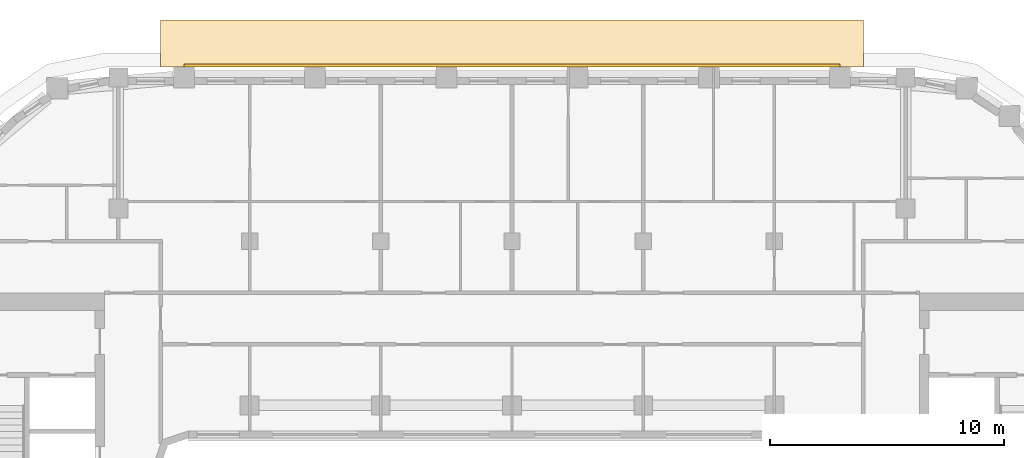
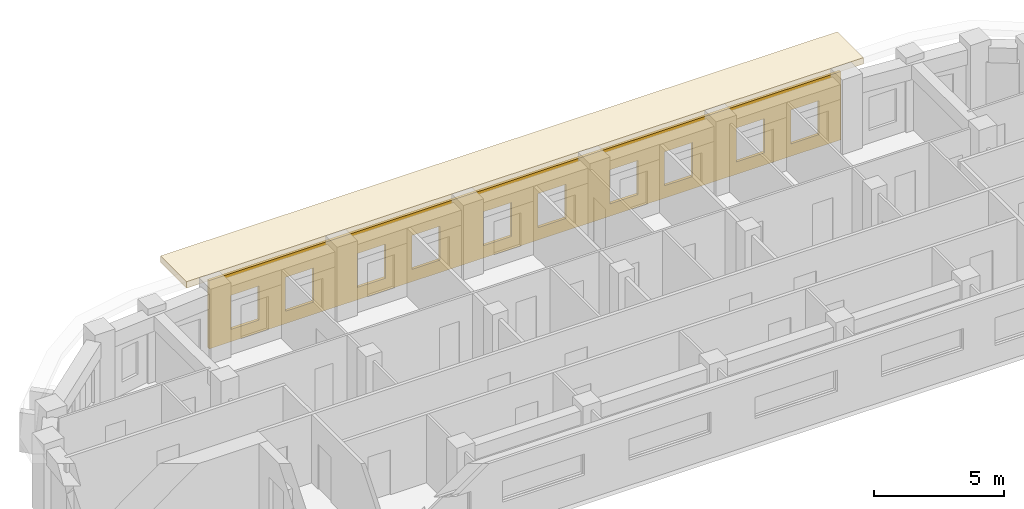
# One storey, part 20 of 21: 2 coverings.
"""IFC4 building model written with IfcOpenShell, lengths in metres."""

from ifc_helpers import new_model, si_unit, direction, frame, origin, place, context, subcontext, project, spatial, polyline, outline, extrude, material, layer, layer_set, type_object, element, save


model = new_model("IFC4")

# Units and contexts
model_context = context("Model", 3, precision=1e-05, world=origin(), true_north=direction((0.0, 1.0)))
body_context = subcontext(model_context, "Body", "Model", "MODEL_VIEW")
ifc_project = project(units=[si_unit("LENGTHUNIT", "METRE"), si_unit("AREAUNIT", "SQUARE_METRE"), si_unit("VOLUMEUNIT", "CUBIC_METRE"), si_unit("PLANEANGLEUNIT", "RADIAN"), si_unit("MASSUNIT", "GRAM", prefix="KILO")], contexts=[model_context])

# Site, building, storey
site_placement = place(None, origin())
site = spatial("IfcSite", under=ifc_project, at=site_placement, CompositionType="ELEMENT")
building_placement = place(site_placement, origin())
building = spatial("IfcBuilding", under=site, at=building_placement, Name="Kiln Ring Residences", CompositionType="ELEMENT")
storey_placement = place(building_placement, frame((0.0, 0.0, 192.39990234375)))
storey = spatial("IfcBuildingStorey", under=building, at=storey_placement, Name="L49", CompositionType="ELEMENT", Elevation=192.39990234375)

# Coverings
ifc_material_1 = material(Name="Brick masonry, dark clay brick", Category="masonry")
ifc_layer_1 = layer(ifc_material_1, 0.1201171875)
ifc_layer_set_1 = layer_set([ifc_layer_1], Name="RAINSCREEN PANEL 120")
covering_type_1 = type_object("IfcCoveringType", Name="RAINSCREEN PANEL 120", PredefinedType="CLADDING", material=ifc_layer_set_1)
covering_1_placement = place(storey_placement, frame((14.0, 22.909912109375, 0.0), z_axis=(0.0, 0.0, 1.0), x_axis=(-1.0, 0.0, 0.0)))
element("IfcCovering", 1, at=covering_1_placement, inside=storey, type_object=covering_type_1, Name="RAINSCREEN L49", PredefinedType="CLADDING", context=body_context, shape_type="SweptSolid", body=[
    extrude(outline(polyline([(0.0, 0.0), (28.0, 0.0), (28.0, 3.2001953125), (0.0, 3.2001953125), (0.0, 0.0)]), holes=[polyline([(0.967529296875, 0.580078125), (2.20751953125, 0.580078125), (2.20751953125, 2.170166015625), (0.967529296875, 2.170166015625), (0.967529296875, 0.580078125)]), polyline([(3.392578125, 0.580078125), (4.632568359375, 0.580078125), (4.632568359375, 2.170166015625), (3.392578125, 2.170166015625), (3.392578125, 0.580078125)]), polyline([(6.5673828125, 0.580078125), (7.8076171875, 0.580078125), (7.8076171875, 2.170166015625), (6.5673828125, 2.170166015625), (6.5673828125, 0.580078125)]), polyline([(8.992431640625, 2.170166015625), (8.992431640625, 0.580078125), (10.232421875, 0.580078125), (10.232421875, 2.170166015625), (8.992431640625, 2.170166015625)]), polyline([(12.179931640625, 2.170166015625), (12.179931640625, 0.580078125), (13.419921875, 0.580078125), (13.419921875, 2.170166015625), (12.179931640625, 2.170166015625)]), polyline([(14.592529296875, 0.580078125), (15.83251953125, 0.580078125), (15.83251953125, 2.170166015625), (14.592529296875, 2.170166015625), (14.592529296875, 0.580078125)]), polyline([(17.767578125, 0.580078125), (19.007568359375, 0.580078125), (19.007568359375, 2.170166015625), (17.767578125, 2.170166015625), (17.767578125, 0.580078125)]), polyline([(20.1923828125, 0.580078125), (21.4326171875, 0.580078125), (21.4326171875, 2.170166015625), (20.1923828125, 2.170166015625), (20.1923828125, 0.580078125)]), polyline([(23.367431640625, 2.170166015625), (23.367431640625, 0.580078125), (24.607421875, 0.580078125), (24.607421875, 2.170166015625), (23.367431640625, 2.170166015625)]), polyline([(25.79248046875, 2.170166015625), (25.79248046875, 0.580078125), (27.032470703125, 0.580078125), (27.032470703125, 2.170166015625), (25.79248046875, 2.170166015625)])]), frame((0.0, 0.06005859375, 0.0), z_axis=(0.0, -1.0, 0.0), x_axis=(1.0, 0.0, 0.0)), (0.0, 0.0, 1.0), 0.1201171875),
])
ifc_material_2 = material(Name="Black powder-coated steel", Category="steel")
ifc_layer_2 = layer(ifc_material_2, 0.300048828125)
ifc_layer_set_2 = layer_set([ifc_layer_2], Name="SUNSHADE BAND 2000")
covering_type_2 = type_object("IfcCoveringType", Name="SUNSHADE BAND 2000", PredefinedType="CLADDING", material=ifc_layer_set_2)
covering_2_placement = place(storey_placement, frame((0.0, 0.0, 3.2001953125)))
element("IfcCovering", 2, at=covering_2_placement, inside=storey, type_object=covering_type_2, Name="SUNSHADE BAND L49", PredefinedType="CLADDING", context=body_context, shape_type="SweptSolid", body=[
    extrude(outline(polyline([(15.0, 24.85009765625), (-15.0, 24.85009765625), (-15.0, 22.85009765625), (15.0, 22.85009765625), (15.0, 24.85009765625)])), origin(), (0.0, 0.0, 1.0), 0.2998046875),
])

save(model, "model.ifc")
